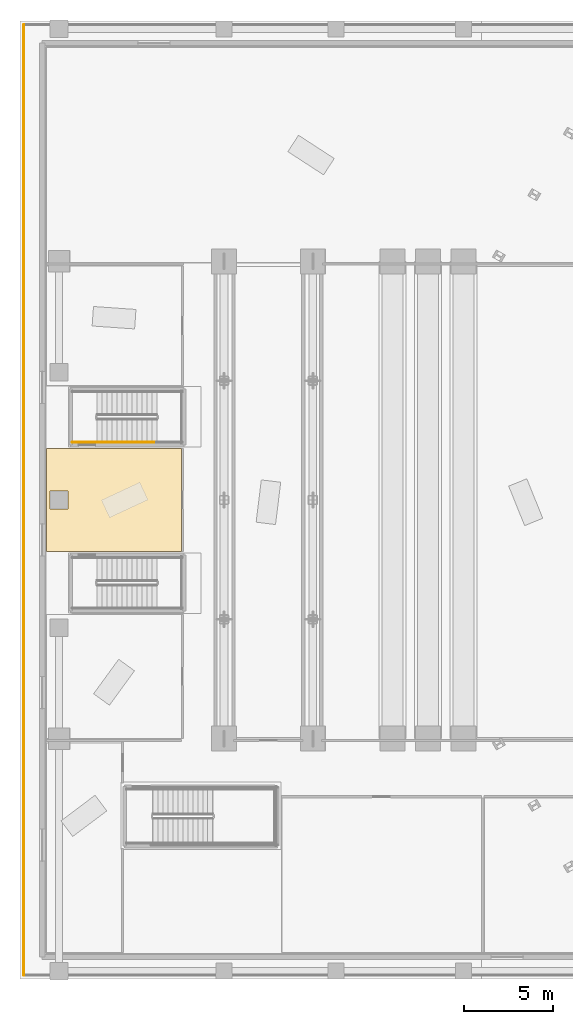
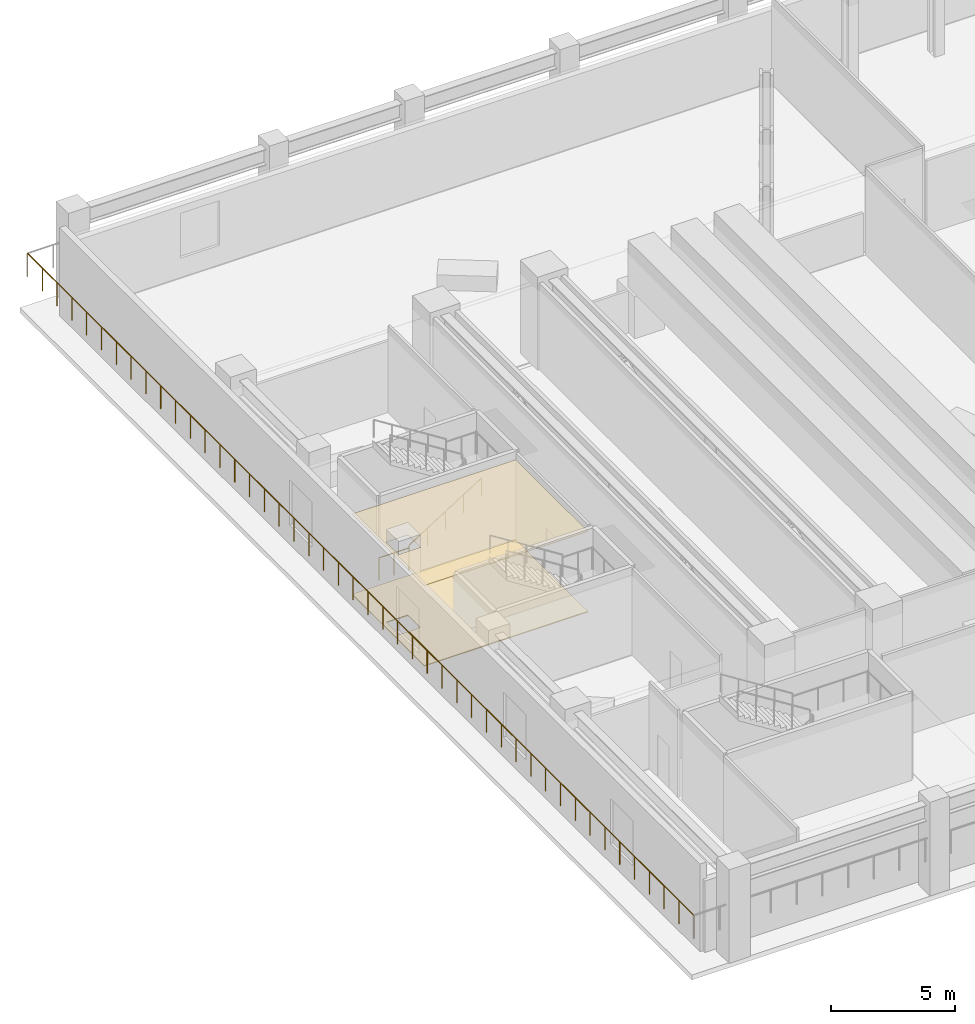
# One storey, part 14 of 24: 3 railings, 2 coverings.
"""IFC4 building model written with IfcOpenShell, lengths in metres."""

from ifc_helpers import new_model, si_unit, direction, frame, origin, origin_2d, place, context, subcontext, project, spatial, polyline, circle, outline, extrude, material, layer, layer_set, type_object, element, save


model = new_model("IFC4")

# Units and contexts
model_context = context("Model", 3, precision=1e-05, world=origin(), true_north=direction((0.0, 1.0)))
body_context = subcontext(model_context, "Body", "Model", "MODEL_VIEW")
ifc_project = project(units=[si_unit("LENGTHUNIT", "METRE"), si_unit("AREAUNIT", "SQUARE_METRE"), si_unit("VOLUMEUNIT", "CUBIC_METRE"), si_unit("PLANEANGLEUNIT", "RADIAN"), si_unit("MASSUNIT", "GRAM", prefix="KILO")], contexts=[model_context])

# Site, building, storey
site_placement = place(None, origin())
site = spatial("IfcSite", under=ifc_project, at=site_placement, CompositionType="ELEMENT")
building_placement = place(site_placement, origin())
building = spatial("IfcBuilding", under=site, at=building_placement, Name="Valkerne Bourse Tower", CompositionType="ELEMENT")
storey_placement = place(building_placement, frame((0.0, 0.0, 19.39990234375)))
storey = spatial("IfcBuildingStorey", under=building, at=storey_placement, Name="L04", CompositionType="ELEMENT", Elevation=19.39990234375)

# Coverings
ifc_material_1 = material(Name="Mineral Fiber Acoustic Ceiling Tile", Category="acoustic")
ifc_layer_1 = layer(ifc_material_1, 0.02490234375)
ifc_layer_set_1 = layer_set([ifc_layer_1], Name="Mineral Fiber Acoustic Ceiling Tile")
covering_type_1 = type_object("IfcCoveringType", Name="COV-CEIL-ACT", PredefinedType="CEILING", material=ifc_layer_set_1)
covering_1_placement = place(storey_placement, frame((0.0, 0.0, 3.9501953125)))
element("IfcCovering", 1, at=covering_1_placement, inside=storey, type_object=covering_type_1, Name="L04 Suspended Ceiling 13", PredefinedType="CEILING", context=body_context, shape_type="SweptSolid", body=[
    extrude(outline(polyline([(1.50390625, 29.89599609375), (9.095947265625, 29.89599609375), (9.095947265625, 24.10400390625), (1.50390625, 24.10400390625), (1.50390625, 29.89599609375)]), holes=[polyline([(2.7041015625, 27.50390625), (1.696044921875, 27.50390625), (1.696044921875, 26.49609375), (2.7041015625, 26.49609375), (2.7041015625, 27.50390625)])]), origin(), (0.0, 0.0, 1.0), 0.02490234375),
])
ifc_material_2 = material(Name="Galvanised Painted Steel", Category="steel")
ifc_layer_2 = layer(ifc_material_2, 0.044921875)
ifc_layer_set_2 = layer_set([ifc_layer_2], Name="Galvanised Painted Steel")
covering_type_2 = type_object("IfcCoveringType", Name="COV-FLR-RAF", PredefinedType="FLOORING", material=ifc_layer_set_2)
covering_2_placement = place(storey_placement, origin())
element("IfcCovering", 2, at=covering_2_placement, inside=storey, type_object=covering_type_2, Name="L04 Floor Finish 13", PredefinedType="FLOORING", context=body_context, shape_type="SweptSolid", body=[
    extrude(outline(polyline([(1.50390625, 29.89599609375), (9.095947265625, 29.89599609375), (9.095947265625, 24.10400390625), (1.50390625, 24.10400390625), (1.50390625, 29.89599609375)]), holes=[polyline([(2.7041015625, 27.50390625), (1.696044921875, 27.50390625), (1.696044921875, 26.49609375), (2.7041015625, 26.49609375), (2.7041015625, 27.50390625)])]), origin(), (0.0, 0.0, 1.0), 0.045166015625),
])

# Railings
ifc_material_3 = material(Name="Laminated Tempered Safety Glass", Category="glass")
railing_type_1 = type_object("IfcRailingType", Name="RLG-GUARD-1150", PredefinedType="BALUSTRADE", material=ifc_material_3)
railing_1_placement = place(storey_placement, frame((0.219970703125, 53.780029296875, 1.60009765625)))
element("IfcRailing", 3, at=railing_1_placement, inside=storey, type_object=railing_type_1, Name="L04 Perimeter Guard Railing GRD-POD-L04-04", PredefinedType="BALUSTRADE", context=body_context, shape_type="SweptSolid", body=[
    extrude(circle(Radius=0.02392578125, at=origin_2d()), frame((0.0, 0.0, 1.1259765625), z_axis=(0.0, -1.0, 0.0), x_axis=(1.0, 0.0, 0.0)), (0.0, 0.0, 1.0), 53.56005859375),
    extrude(circle(Radius=0.02099609375, at=origin_2d()), origin(), (0.0, 0.0, 1.0), 1.101806640625),
    extrude(circle(Radius=0.02099609375, at=origin_2d()), frame((0.0, -1.190185546875, 0.0)), (0.0, 0.0, 1.0), 1.101806640625),
    extrude(circle(Radius=0.02099609375, at=origin_2d()), frame((0.0, -2.38037109375, 0.0)), (0.0, 0.0, 1.0), 1.101806640625),
    extrude(circle(Radius=0.02099609375, at=origin_2d()), frame((0.0, -3.570556640625, 0.0)), (0.0, 0.0, 1.0), 1.101806640625),
    extrude(circle(Radius=0.02099609375, at=origin_2d()), frame((0.0, -4.760986328125, 0.0)), (0.0, 0.0, 1.0), 1.101806640625),
    extrude(circle(Radius=0.02099609375, at=origin_2d()), frame((0.0, -5.951171875, 0.0)), (0.0, 0.0, 1.0), 1.101806640625),
    extrude(circle(Radius=0.02099609375, at=origin_2d()), frame((0.0, -7.141357421875, 0.0)), (0.0, 0.0, 1.0), 1.101806640625),
    extrude(circle(Radius=0.02099609375, at=origin_2d()), frame((0.0, -8.33154296875, 0.0)), (0.0, 0.0, 1.0), 1.101806640625),
    extrude(circle(Radius=0.02099609375, at=origin_2d()), frame((0.0, -9.521728515625, 0.0)), (0.0, 0.0, 1.0), 1.101806640625),
    extrude(circle(Radius=0.02099609375, at=origin_2d()), frame((0.0, -10.7119140625, 0.0)), (0.0, 0.0, 1.0), 1.101806640625),
    extrude(circle(Radius=0.02099609375, at=origin_2d()), frame((0.0, -11.90234375, 0.0)), (0.0, 0.0, 1.0), 1.101806640625),
    extrude(circle(Radius=0.02099609375, at=origin_2d()), frame((0.0, -13.092529296875, 0.0)), (0.0, 0.0, 1.0), 1.101806640625),
    extrude(circle(Radius=0.02099609375, at=origin_2d()), frame((0.0, -14.28271484375, 0.0)), (0.0, 0.0, 1.0), 1.101806640625),
    extrude(circle(Radius=0.02099609375, at=origin_2d()), frame((0.0, -15.472900390625, 0.0)), (0.0, 0.0, 1.0), 1.101806640625),
    extrude(circle(Radius=0.02099609375, at=origin_2d()), frame((0.0, -16.6630859375, 0.0)), (0.0, 0.0, 1.0), 1.101806640625),
    extrude(circle(Radius=0.02099609375, at=origin_2d()), frame((0.0, -17.853271484375, 0.0)), (0.0, 0.0, 1.0), 1.101806640625),
    extrude(circle(Radius=0.02099609375, at=origin_2d()), frame((0.0, -19.04345703125, 0.0)), (0.0, 0.0, 1.0), 1.101806640625),
    extrude(circle(Radius=0.02099609375, at=origin_2d()), frame((0.0, -20.23388671875, 0.0)), (0.0, 0.0, 1.0), 1.101806640625),
    extrude(circle(Radius=0.02099609375, at=origin_2d()), frame((0.0, -21.424072265625, 0.0)), (0.0, 0.0, 1.0), 1.101806640625),
    extrude(circle(Radius=0.02099609375, at=origin_2d()), frame((0.0, -22.6142578125, 0.0)), (0.0, 0.0, 1.0), 1.101806640625),
    extrude(circle(Radius=0.02099609375, at=origin_2d()), frame((0.0, -23.804443359375, 0.0)), (0.0, 0.0, 1.0), 1.101806640625),
    extrude(circle(Radius=0.02099609375, at=origin_2d()), frame((0.0, -24.99462890625, 0.0)), (0.0, 0.0, 1.0), 1.101806640625),
    extrude(circle(Radius=0.02099609375, at=origin_2d()), frame((0.0, -26.184814453125, 0.0)), (0.0, 0.0, 1.0), 1.101806640625),
    extrude(circle(Radius=0.02099609375, at=origin_2d()), frame((0.0, -27.375244140625, 0.0)), (0.0, 0.0, 1.0), 1.101806640625),
    extrude(circle(Radius=0.02099609375, at=origin_2d()), frame((0.0, -28.5654296875, 0.0)), (0.0, 0.0, 1.0), 1.101806640625),
    extrude(circle(Radius=0.02099609375, at=origin_2d()), frame((0.0, -29.755615234375, 0.0)), (0.0, 0.0, 1.0), 1.101806640625),
    extrude(circle(Radius=0.02099609375, at=origin_2d()), frame((0.0, -30.94580078125, 0.0)), (0.0, 0.0, 1.0), 1.101806640625),
    extrude(circle(Radius=0.02099609375, at=origin_2d()), frame((0.0, -32.135986328125, 0.0)), (0.0, 0.0, 1.0), 1.101806640625),
    extrude(circle(Radius=0.02099609375, at=origin_2d()), frame((0.0, -33.326171875, 0.0)), (0.0, 0.0, 1.0), 1.101806640625),
    extrude(circle(Radius=0.02099609375, at=origin_2d()), frame((0.0, -34.5166015625, 0.0)), (0.0, 0.0, 1.0), 1.101806640625),
    extrude(circle(Radius=0.02099609375, at=origin_2d()), frame((0.0, -35.706787109375, 0.0)), (0.0, 0.0, 1.0), 1.101806640625),
    extrude(circle(Radius=0.02099609375, at=origin_2d()), frame((0.0, -36.89697265625, 0.0)), (0.0, 0.0, 1.0), 1.101806640625),
    extrude(circle(Radius=0.02099609375, at=origin_2d()), frame((0.0, -38.087158203125, 0.0)), (0.0, 0.0, 1.0), 1.101806640625),
    extrude(circle(Radius=0.02099609375, at=origin_2d()), frame((0.0, -39.27734375, 0.0)), (0.0, 0.0, 1.0), 1.101806640625),
    extrude(circle(Radius=0.02099609375, at=origin_2d()), frame((0.0, -40.467529296875, 0.0)), (0.0, 0.0, 1.0), 1.101806640625),
    extrude(circle(Radius=0.02099609375, at=origin_2d()), frame((0.0, -41.65771484375, 0.0)), (0.0, 0.0, 1.0), 1.101806640625),
    extrude(circle(Radius=0.02099609375, at=origin_2d()), frame((0.0, -42.84814453125, 0.0)), (0.0, 0.0, 1.0), 1.101806640625),
    extrude(circle(Radius=0.02099609375, at=origin_2d()), frame((0.0, -44.038330078125, 0.0)), (0.0, 0.0, 1.0), 1.101806640625),
    extrude(circle(Radius=0.02099609375, at=origin_2d()), frame((0.0, -45.228515625, 0.0)), (0.0, 0.0, 1.0), 1.101806640625),
    extrude(circle(Radius=0.02099609375, at=origin_2d()), frame((0.0, -46.418701171875, 0.0)), (0.0, 0.0, 1.0), 1.101806640625),
    extrude(circle(Radius=0.02099609375, at=origin_2d()), frame((0.0, -47.60888671875, 0.0)), (0.0, 0.0, 1.0), 1.101806640625),
    extrude(circle(Radius=0.02099609375, at=origin_2d()), frame((0.0, -48.799072265625, 0.0)), (0.0, 0.0, 1.0), 1.101806640625),
    extrude(circle(Radius=0.02099609375, at=origin_2d()), frame((0.0, -49.989501953125, 0.0)), (0.0, 0.0, 1.0), 1.101806640625),
    extrude(circle(Radius=0.02099609375, at=origin_2d()), frame((0.0, -51.1796875, 0.0)), (0.0, 0.0, 1.0), 1.101806640625),
    extrude(circle(Radius=0.02099609375, at=origin_2d()), frame((0.0, -52.369873046875, 0.0)), (0.0, 0.0, 1.0), 1.101806640625),
    extrude(circle(Radius=0.02099609375, at=origin_2d()), frame((0.0, -53.56005859375, 0.0)), (0.0, 0.0, 1.0), 1.101806640625),
])
railing_type_2 = type_object("IfcRailingType", Name="RLG-ST-GUARD-1120", PredefinedType="GUARDRAIL", material=ifc_material_2)
railing_2_placement = place(storey_placement, frame((2.949951171875, 30.25, 0.0)))
element("IfcRailing", 4, at=railing_2_placement, inside=storey, type_object=railing_type_2, Name="L04 ST-G2 stair guard 8", PredefinedType="GUARDRAIL", context=body_context, shape_type="SweptSolid", body=[
    extrude(circle(Radius=0.02392578125, at=origin_2d()), frame((0.0, 0.0, 1.09619140625), z_axis=(1.0, 0.0, 0.0), x_axis=(0.0, 1.0, 0.0)), (0.0, 0.0, 1.0), 1.400146484375),
    extrude(circle(Radius=0.02099609375, at=origin_2d()), origin(), (0.0, 0.0, 1.0), 1.072021484375),
    extrude(circle(Radius=0.02099609375, at=origin_2d()), frame((0.7001953125, 0.0, 0.0)), (0.0, 0.0, 1.0), 1.072021484375),
    extrude(circle(Radius=0.02099609375, at=origin_2d()), frame((1.400146484375, 0.0, 0.0)), (0.0, 0.0, 1.0), 1.072021484375),
])
ifc_material_4 = material(Name="Stainless Steel AISI 316", Category="steel")
railing_type_3 = type_object("IfcRailingType", Name="RLG-ST-HANDRAIL-900", PredefinedType="HANDRAIL", material=ifc_material_4)
railing_3_placement = place(storey_placement, frame((4.35009765625, 30.25, 0.35400390625)))
element("IfcRailing", 5, at=railing_3_placement, inside=storey, type_object=railing_type_3, Name="L04 ST-G2 stair handrail 1", PredefinedType="HANDRAIL", context=body_context, shape_type="SweptSolid", body=[
    extrude(circle(Radius=0.02392578125, at=origin_2d()), frame((0.0, 0.0, 0.8759765625), z_axis=(0.845372108799, 0.0, 0.534177870812), x_axis=(0.0, 1.0, 0.0)), (0.0, 0.0, 1.0), 3.974365234375),
    extrude(circle(Radius=0.02099609375, at=origin_2d()), origin(), (0.0, 0.0, 1.0), 0.851806640625),
    extrude(circle(Radius=0.02099609375, at=origin_2d()), frame((0.83984375, 0.0, 0.53076171875)), (0.0, 0.0, 1.0), 0.851806640625),
    extrude(circle(Radius=0.02099609375, at=origin_2d()), frame((1.679931640625, 0.0, 1.0615234375)), (0.0, 0.0, 1.0), 0.851806640625),
    extrude(circle(Radius=0.02099609375, at=origin_2d()), frame((2.52001953125, 0.0, 1.59228515625)), (0.0, 0.0, 1.0), 0.851806640625),
    extrude(circle(Radius=0.02099609375, at=origin_2d()), frame((3.35986328125, 0.0, 2.123046875)), (0.0, 0.0, 1.0), 0.851806640625),
])

save(model, "model.ifc")
